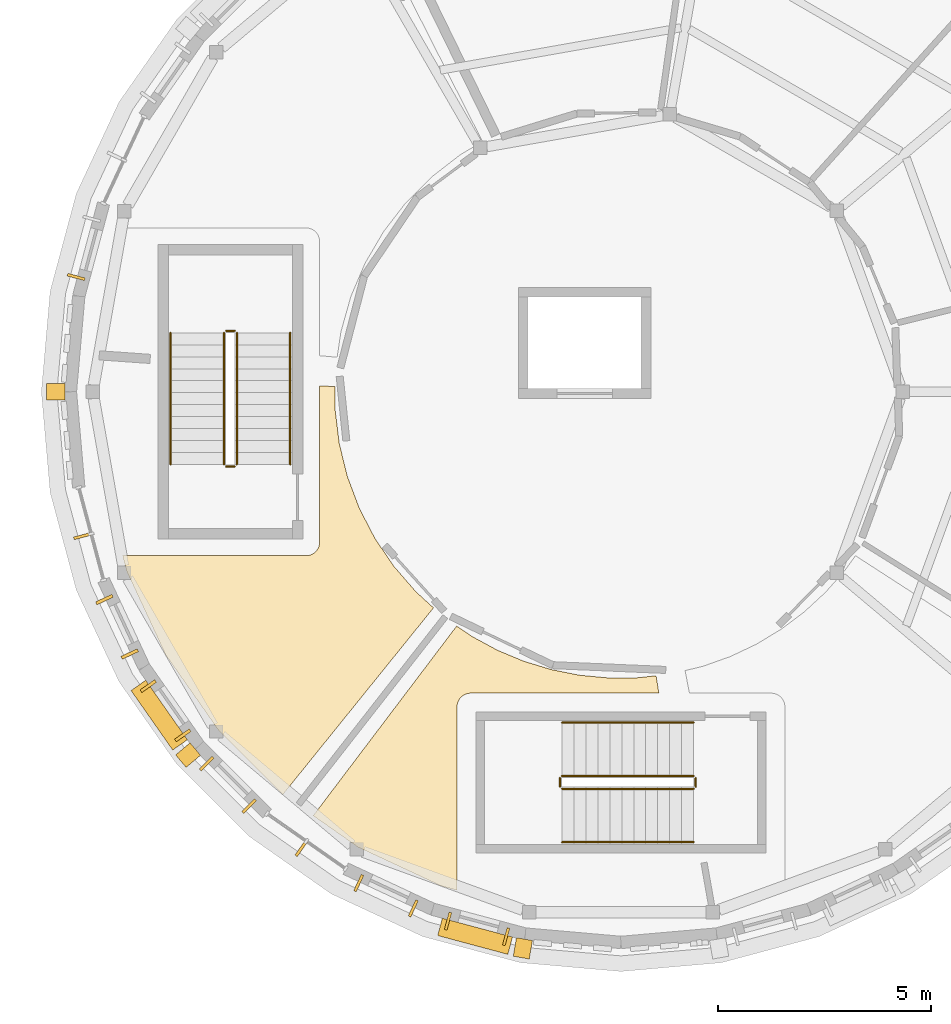
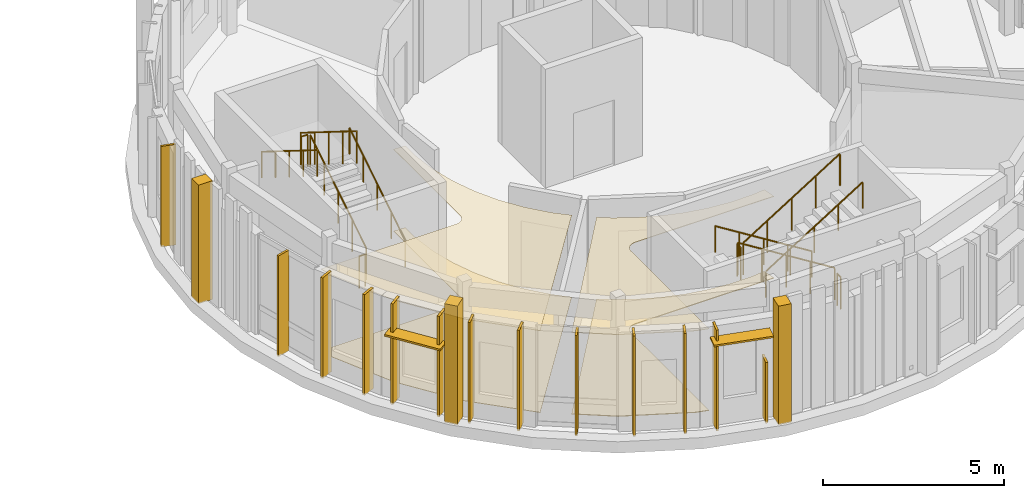
# One storey, part 30 of 37: 15 shading devices, 12 railings, 7 coverings.
"""IFC4 building model written with IfcOpenShell, lengths in metres."""

from ifc_helpers import new_model, si_unit, direction, frame, origin, origin_2d, place, context, subcontext, project, spatial, polyline, rectangle, circle, outline, extrude, material, layer, layer_set, type_object, element, save


model = new_model("IFC4")

# Units and contexts
model_context = context("Model", 3, precision=1e-05, world=origin(), true_north=direction((0.0, 1.0)))
body_context = subcontext(model_context, "Body", "Model", "MODEL_VIEW")
ifc_project = project(units=[si_unit("LENGTHUNIT", "METRE"), si_unit("AREAUNIT", "SQUARE_METRE"), si_unit("VOLUMEUNIT", "CUBIC_METRE"), si_unit("PLANEANGLEUNIT", "RADIAN"), si_unit("MASSUNIT", "GRAM", prefix="KILO")], contexts=[model_context])

# Site, building, storey
site_placement = place(None, origin())
site = spatial("IfcSite", under=ifc_project, at=site_placement, CompositionType="ELEMENT")
building_placement = place(site_placement, origin())
building = spatial("IfcBuilding", under=site, at=building_placement, Name="Aldenvaro Health Centre", CompositionType="ELEMENT")
storey_placement = place(building_placement, frame((0.0, 0.0, 12.949951171875)))
storey = spatial("IfcBuildingStorey", under=building, at=storey_placement, Name="L03", CompositionType="ELEMENT", Elevation=12.949951171875)

# Coverings
ifc_material_1 = material(Name="Antimicrobial Mineral Fibre Ceiling")
ifc_layer_1 = layer(ifc_material_1, 0.01806640625, Name="Antimicrobial Mineral Fibre Ceiling")
ifc_layer_set_1 = layer_set([ifc_layer_1], Name="Antimicrobial Mineral Fibre Ceiling")
covering_type_1 = type_object("IfcCoveringType", Name="COV-CLG-ACT18", PredefinedType="CEILING", material=ifc_layer_set_1)
covering_1_placement = place(storey_placement, frame((0.0, 0.0, 2.75)))
element("IfcCovering", 1, at=covering_1_placement, inside=storey, type_object=covering_type_1, Name="D5-L03-R02 Suspended Ceiling", PredefinedType="CEILING", context=body_context, shape_type="SweptSolid", body=[
    extrude(outline(polyline([(10.5791015625, 9.06591796875), (9.06298828125, 10.5810546875), (7.8310546875, 12.341064453125), (6.924072265625, 14.287109375), (6.823974609375, 14.659912109375), (11.1201171875, 14.659912109375), (11.132080078125, 14.659912109375), (11.139892578125, 14.660888671875), (11.1630859375, 14.6630859375), (11.1708984375, 14.6640625), (11.194091796875, 14.6689453125), (11.201904296875, 14.6708984375), (11.22412109375, 14.677001953125), (11.23095703125, 14.679931640625), (11.2529296875, 14.68896484375), (11.260009765625, 14.69189453125), (11.281005859375, 14.7041015625), (11.2880859375, 14.7080078125), (11.306884765625, 14.720947265625), (11.31396484375, 14.72509765625), (11.33203125, 14.739990234375), (11.337890625, 14.74609375), (11.35400390625, 14.761962890625), (11.360107421875, 14.76806640625), (11.375, 14.785888671875), (11.37890625, 14.79296875), (11.39208984375, 14.81201171875), (11.39599609375, 14.819091796875), (11.407958984375, 14.840087890625), (11.410888671875, 14.846923828125), (11.419921875, 14.868896484375), (11.423095703125, 14.8759765625), (11.428955078125, 14.89794921875), (11.430908203125, 14.906005859375), (11.43603515625, 14.928955078125), (11.43701171875, 14.93701171875), (11.43896484375, 14.9599609375), (11.43994140625, 14.968017578125), (11.43994140625, 14.97998046875), (11.43994140625, 18.64208984375), (11.801025390625, 18.6220703125), (11.802978515625, 18.083984375), (11.804931640625, 18.055908203125), (11.89892578125, 17.297119140625), (11.904052734375, 17.26904296875), (12.0869140625, 16.527099609375), (12.095947265625, 16.5), (12.364990234375, 15.783935546875), (12.3759765625, 15.758056640625), (12.72802734375, 15.0791015625), (12.741943359375, 15.054931640625), (13.172119140625, 14.422119140625), (13.18896484375, 14.39990234375), (13.68994140625, 13.822021484375), (13.7099609375, 13.802001953125), (14.10791015625, 13.43896484375), (10.5791015625, 9.06591796875)])), origin(), (0.0, 0.0, 1.0), 0.01806640625),
])
covering_2_placement = place(storey_placement, frame((0.0, 0.0, 2.75)))
element("IfcCovering", 2, at=covering_2_placement, inside=storey, type_object=covering_type_1, Name="D5-L03-R03 Suspended Ceiling", PredefinedType="CEILING", context=body_context, shape_type="SweptSolid", body=[
    extrude(outline(polyline([(15.0009765625, 12.77490234375), (15.02197265625, 12.761962890625), (15.594970703125, 12.451904296875), (15.616943359375, 12.44091796875), (16.218994140625, 12.18994140625), (16.240966796875, 12.181884765625), (16.864990234375, 11.992919921875), (16.888916015625, 11.987060546875), (17.528076171875, 11.861083984375), (17.552001953125, 11.85791015625), (18.200927734375, 11.797119140625), (18.22509765625, 11.7958984375), (18.876953125, 11.801025390625), (18.90087890625, 11.802001953125), (19.322021484375, 11.847900390625), (19.387939453125, 11.43994140625), (14.97998046875, 11.43994140625), (14.968017578125, 11.43994140625), (14.9599609375, 11.43896484375), (14.93701171875, 11.43701171875), (14.928955078125, 11.43603515625), (14.906005859375, 11.430908203125), (14.89794921875, 11.428955078125), (14.8759765625, 11.423095703125), (14.868896484375, 11.419921875), (14.846923828125, 11.410888671875), (14.840087890625, 11.407958984375), (14.819091796875, 11.39599609375), (14.81201171875, 11.39208984375), (14.79296875, 11.37890625), (14.785888671875, 11.375), (14.76806640625, 11.360107421875), (14.761962890625, 11.35400390625), (14.74609375, 11.337890625), (14.739990234375, 11.33203125), (14.72509765625, 11.31396484375), (14.720947265625, 11.306884765625), (14.7080078125, 11.2880859375), (14.7041015625, 11.281005859375), (14.69189453125, 11.260009765625), (14.68896484375, 11.2529296875), (14.679931640625, 11.23095703125), (14.677001953125, 11.22412109375), (14.6708984375, 11.201904296875), (14.6689453125, 11.194091796875), (14.6640625, 11.1708984375), (14.6630859375, 11.1630859375), (14.660888671875, 11.139892578125), (14.659912109375, 11.132080078125), (14.659912109375, 11.1201171875), (14.659912109375, 6.823974609375), (14.287109375, 6.924072265625), (12.341064453125, 7.8310546875), (11.2890625, 8.568115234375), (14.65087890625, 13.012939453125), (15.0009765625, 12.77490234375)])), origin(), (0.0, 0.0, 1.0), 0.01806640625),
])
ifc_material_2 = material(Name="Honed Sonoran Buff Limestone", Category="masonry")
ifc_layer_2 = layer(ifc_material_2, 0.280029296875, Name="Honed Sonoran Buff Limestone", Category="masonry")
ifc_layer_set_2 = layer_set([ifc_layer_2], Name="Honed Sonoran Buff Limestone")
covering_type_2 = type_object("IfcCoveringType", Name="COV-CRN-STN", PredefinedType="CLADDING", material=ifc_layer_set_2)
for number, where, z_axis, x_axis, name in (
    (3, (16.200927734375, 5.4609375, -0.00048828125), (0.0, 0.0, 1.0), (-0.173643819888, -0.984808521396, 0.0), "D5 L03 Engaged Classical Limestone Pilaster 06"),
    (4, (8.35791015625, 9.989013671875, -0.00048828125), (0.0, 0.0, 1.0), (-0.76604377724, -0.642788403249, 0.0), "D5 L03 Engaged Classical Limestone Pilaster 08"),
    (5, (5.260009765625, 18.5, -0.00048828125), (0.0, 0.0, 1.0), (-1.0, 0.0, 0.0), "D5 L03 Engaged Classical Limestone Pilaster 10"),
):
    element("IfcCovering", number, at=place(storey_placement, frame(where, z_axis=z_axis, x_axis=x_axis)), inside=storey, type_object=covering_type_2, Name=name, PredefinedType="CLADDING", context=body_context, shape_type="SweptSolid", body=[
        extrude(rectangle(XDim=0.43994140625, YDim=0.3798828125, at=origin_2d()), origin(), (0.0, 0.0, 1.0), 3.9951171875),
    ])
ifc_material_3 = material(Name="Polished Epoxy Terrazzo Flooring")
ifc_layer_3 = layer(ifc_material_3, 0.02197265625, Name="Polished Epoxy Terrazzo Flooring")
ifc_layer_set_3 = layer_set([ifc_layer_3], Name="Polished Epoxy Terrazzo Flooring")
covering_type_3 = type_object("IfcCoveringType", Name="COV-FLR-TER22", PredefinedType="FLOORING", material=ifc_layer_set_3)
covering_3_placement = place(storey_placement, origin())
element("IfcCovering", 6, at=covering_3_placement, inside=storey, type_object=covering_type_3, Name="D5-L03-R03 Flooring", PredefinedType="FLOORING", context=body_context, shape_type="SweptSolid", body=[
    extrude(outline(polyline([(15.0009765625, 12.77490234375), (15.02197265625, 12.761962890625), (15.594970703125, 12.451904296875), (15.616943359375, 12.44091796875), (16.218994140625, 12.18994140625), (16.240966796875, 12.181884765625), (16.864990234375, 11.992919921875), (16.888916015625, 11.987060546875), (17.528076171875, 11.861083984375), (17.552001953125, 11.85791015625), (18.200927734375, 11.797119140625), (18.22509765625, 11.7958984375), (18.876953125, 11.801025390625), (18.90087890625, 11.802001953125), (19.322021484375, 11.847900390625), (19.387939453125, 11.43994140625), (14.97998046875, 11.43994140625), (14.968017578125, 11.43994140625), (14.9599609375, 11.43896484375), (14.93701171875, 11.43701171875), (14.928955078125, 11.43603515625), (14.906005859375, 11.430908203125), (14.89794921875, 11.428955078125), (14.8759765625, 11.423095703125), (14.868896484375, 11.419921875), (14.846923828125, 11.410888671875), (14.840087890625, 11.407958984375), (14.819091796875, 11.39599609375), (14.81201171875, 11.39208984375), (14.79296875, 11.37890625), (14.785888671875, 11.375), (14.76806640625, 11.360107421875), (14.761962890625, 11.35400390625), (14.74609375, 11.337890625), (14.739990234375, 11.33203125), (14.72509765625, 11.31396484375), (14.720947265625, 11.306884765625), (14.7080078125, 11.2880859375), (14.7041015625, 11.281005859375), (14.69189453125, 11.260009765625), (14.68896484375, 11.2529296875), (14.679931640625, 11.23095703125), (14.677001953125, 11.22412109375), (14.6708984375, 11.201904296875), (14.6689453125, 11.194091796875), (14.6640625, 11.1708984375), (14.6630859375, 11.1630859375), (14.660888671875, 11.139892578125), (14.659912109375, 11.132080078125), (14.659912109375, 11.1201171875), (14.659912109375, 6.823974609375), (14.287109375, 6.924072265625), (12.341064453125, 7.8310546875), (11.2890625, 8.568115234375), (14.65087890625, 13.012939453125), (15.0009765625, 12.77490234375)])), origin(), (0.0, 0.0, 1.0), 0.02197265625),
])
ifc_material_4 = material(Name="Seamless Homogeneous Sheet Vinyl")
ifc_layer_4 = layer(ifc_material_4, 0.013916015625, Name="Seamless Homogeneous Sheet Vinyl")
ifc_layer_set_4 = layer_set([ifc_layer_4], Name="Seamless Homogeneous Sheet Vinyl")
covering_type_4 = type_object("IfcCoveringType", Name="COV-FLR-VNL14", PredefinedType="FLOORING", material=ifc_layer_set_4)
covering_4_placement = place(storey_placement, origin())
element("IfcCovering", 7, at=covering_4_placement, inside=storey, type_object=covering_type_4, Name="D5-L03-R02 Flooring", PredefinedType="FLOORING", context=body_context, shape_type="SweptSolid", body=[
    extrude(outline(polyline([(10.5791015625, 9.06591796875), (9.06298828125, 10.5810546875), (7.8310546875, 12.341064453125), (6.924072265625, 14.287109375), (6.823974609375, 14.659912109375), (11.1201171875, 14.659912109375), (11.132080078125, 14.659912109375), (11.139892578125, 14.660888671875), (11.1630859375, 14.6630859375), (11.1708984375, 14.6640625), (11.194091796875, 14.6689453125), (11.201904296875, 14.6708984375), (11.22412109375, 14.677001953125), (11.23095703125, 14.679931640625), (11.2529296875, 14.68896484375), (11.260009765625, 14.69189453125), (11.281005859375, 14.7041015625), (11.2880859375, 14.7080078125), (11.306884765625, 14.720947265625), (11.31396484375, 14.72509765625), (11.33203125, 14.739990234375), (11.337890625, 14.74609375), (11.35400390625, 14.761962890625), (11.360107421875, 14.76806640625), (11.375, 14.785888671875), (11.37890625, 14.79296875), (11.39208984375, 14.81201171875), (11.39599609375, 14.819091796875), (11.407958984375, 14.840087890625), (11.410888671875, 14.846923828125), (11.419921875, 14.868896484375), (11.423095703125, 14.8759765625), (11.428955078125, 14.89794921875), (11.430908203125, 14.906005859375), (11.43603515625, 14.928955078125), (11.43701171875, 14.93701171875), (11.43896484375, 14.9599609375), (11.43994140625, 14.968017578125), (11.43994140625, 14.97998046875), (11.43994140625, 18.64208984375), (11.801025390625, 18.6220703125), (11.802978515625, 18.083984375), (11.804931640625, 18.055908203125), (11.89892578125, 17.297119140625), (11.904052734375, 17.26904296875), (12.0869140625, 16.527099609375), (12.095947265625, 16.5), (12.364990234375, 15.783935546875), (12.3759765625, 15.758056640625), (12.72802734375, 15.0791015625), (12.741943359375, 15.054931640625), (13.172119140625, 14.422119140625), (13.18896484375, 14.39990234375), (13.68994140625, 13.822021484375), (13.7099609375, 13.802001953125), (14.10791015625, 13.43896484375), (10.5791015625, 9.06591796875)])), origin(), (0.0, 0.0, 1.0), 0.01416015625),
])

# Railings
ifc_material_5 = material(Name="Painted Architectural Steel", Category="steel")
railing_type_1 = type_object("IfcRailingType", Name="RL-BAL-INT", PredefinedType="BALUSTRADE", material=ifc_material_5)
railing_1_placement = place(storey_placement, frame((9.5, 16.800048828125, 0.175048828125)))
element("IfcRailing", 8, at=railing_1_placement, inside=storey, type_object=railing_type_1, Name="L03 ST-09 stair guard 1", PredefinedType="BALUSTRADE", context=body_context, shape_type="SweptSolid", body=[
    extrude(circle(Radius=0.02392578125, at=origin_2d()), frame((0.0, 0.0, 1.076171875), z_axis=(0.0, 0.847979421464, 0.530029150871), x_axis=(-1.0, 0.0, 0.0)), (0.0, 0.0, 1.0), 3.632080078125),
    extrude(circle(Radius=0.02099609375, at=origin_2d()), origin(), (0.0, 0.0, 1.0), 1.052001953125),
    extrude(circle(Radius=0.02099609375, at=origin_2d()), frame((0.0, 0.77001953125, 0.481201171875)), (0.0, 0.0, 1.0), 1.052001953125),
    extrude(circle(Radius=0.02099609375, at=origin_2d()), frame((0.0, 1.5400390625, 0.96240234375)), (0.0, 0.0, 1.0), 1.052001953125),
    extrude(circle(Radius=0.02099609375, at=origin_2d()), frame((0.0, 2.309814453125, 1.44384765625)), (0.0, 0.0, 1.0), 1.052001953125),
    extrude(circle(Radius=0.02099609375, at=origin_2d()), frame((0.0, 3.079833984375, 1.925048828125)), (0.0, 0.0, 1.0), 1.052001953125),
])
railing_2_placement = place(storey_placement, frame((9.449951171875, 19.929931640625, 2.10009765625)))
element("IfcRailing", 9, at=railing_2_placement, inside=storey, type_object=railing_type_1, Name="L03 ST-09 stair guard 2", PredefinedType="BALUSTRADE", context=body_context, shape_type="SweptSolid", body=[
    extrude(circle(Radius=0.02392578125, at=origin_2d()), frame((0.0, 0.0, 1.076171875), z_axis=(-1.0, 0.0, 0.0), x_axis=(0.0, -1.0, 0.0)), (0.0, 0.0, 1.0), 0.199951171875),
    extrude(circle(Radius=0.02099609375, at=origin_2d()), origin(), (0.0, 0.0, 1.0), 1.052001953125),
    extrude(circle(Radius=0.02099609375, at=origin_2d()), frame((-0.199951171875, 0.0, 0.0)), (0.0, 0.0, 1.0), 1.052001953125),
])
railing_3_placement = place(storey_placement, frame((9.199951171875, 19.8798828125, 2.275146484375)))
element("IfcRailing", 10, at=railing_3_placement, inside=storey, type_object=railing_type_1, Name="L03 ST-09 stair guard 3", PredefinedType="BALUSTRADE", context=body_context, shape_type="SweptSolid", body=[
    extrude(circle(Radius=0.02392578125, at=origin_2d()), frame((0.0, 0.0, 1.076171875), z_axis=(0.0, -0.848009633417, 0.529980812513), x_axis=(1.0, 0.0, 0.0)), (0.0, 0.0, 1.0), 3.6318359375),
    extrude(circle(Radius=0.02099609375, at=origin_2d()), origin(), (0.0, 0.0, 1.0), 1.052001953125),
    extrude(circle(Radius=0.02099609375, at=origin_2d()), frame((0.0, -0.77001953125, 0.481201171875)), (0.0, 0.0, 1.0), 1.052001953125),
    extrude(circle(Radius=0.02099609375, at=origin_2d()), frame((0.0, -1.5400390625, 0.96240234375)), (0.0, 0.0, 1.0), 1.052001953125),
    extrude(circle(Radius=0.02099609375, at=origin_2d()), frame((0.0, -2.309814453125, 1.443603515625)), (0.0, 0.0, 1.0), 1.052001953125),
    extrude(circle(Radius=0.02099609375, at=origin_2d()), frame((0.0, -3.079833984375, 1.9248046875)), (0.0, 0.0, 1.0), 1.052001953125),
])
railing_4_placement = place(storey_placement, frame((9.449951171875, 16.75, 0.0)))
element("IfcRailing", 11, at=railing_4_placement, inside=storey, type_object=railing_type_1, Name="L03 ST-09 stair guard 4", PredefinedType="BALUSTRADE", context=body_context, shape_type="SweptSolid", body=[
    extrude(circle(Radius=0.02392578125, at=origin_2d()), frame((0.0, 0.0, 1.076171875), z_axis=(-1.0, 0.0, 0.0), x_axis=(0.0, -1.0, 0.0)), (0.0, 0.0, 1.0), 0.199951171875),
    extrude(circle(Radius=0.02099609375, at=origin_2d()), origin(), (0.0, 0.0, 1.0), 1.052001953125),
    extrude(circle(Radius=0.02099609375, at=origin_2d()), frame((-0.199951171875, 0.0, 0.0)), (0.0, 0.0, 1.0), 1.052001953125),
])
railing_5_placement = place(storey_placement, frame((20.199951171875, 9.5, 0.175048828125)))
element("IfcRailing", 12, at=railing_5_placement, inside=storey, type_object=railing_type_1, Name="L03 ST-10 stair guard 1", PredefinedType="BALUSTRADE", context=body_context, shape_type="SweptSolid", body=[
    extrude(circle(Radius=0.02392578125, at=origin_2d()), frame((0.0, 0.0, 1.076171875), z_axis=(-0.847979421464, 0.0, 0.530029150871), x_axis=(0.0, -1.0, 0.0)), (0.0, 0.0, 1.0), 3.632080078125),
    extrude(circle(Radius=0.02099609375, at=origin_2d()), origin(), (0.0, 0.0, 1.0), 1.052001953125),
    extrude(circle(Radius=0.02099609375, at=origin_2d()), frame((-0.77001953125, 0.0, 0.481201171875)), (0.0, 0.0, 1.0), 1.052001953125),
    extrude(circle(Radius=0.02099609375, at=origin_2d()), frame((-1.5400390625, 0.0, 0.96240234375)), (0.0, 0.0, 1.0), 1.052001953125),
    extrude(circle(Radius=0.02099609375, at=origin_2d()), frame((-2.309814453125, 0.0, 1.44384765625)), (0.0, 0.0, 1.0), 1.052001953125),
    extrude(circle(Radius=0.02099609375, at=origin_2d()), frame((-3.079833984375, 0.0, 1.925048828125)), (0.0, 0.0, 1.0), 1.052001953125),
])
railing_6_placement = place(storey_placement, frame((17.070068359375, 9.449951171875, 2.10009765625)))
element("IfcRailing", 13, at=railing_6_placement, inside=storey, type_object=railing_type_1, Name="L03 ST-10 stair guard 2", PredefinedType="BALUSTRADE", context=body_context, shape_type="SweptSolid", body=[
    extrude(circle(Radius=0.02392578125, at=origin_2d()), frame((0.0, 0.0, 1.076171875), z_axis=(0.0, -1.0, 0.0), x_axis=(1.0, 0.0, 0.0)), (0.0, 0.0, 1.0), 0.199951171875),
    extrude(circle(Radius=0.02099609375, at=origin_2d()), origin(), (0.0, 0.0, 1.0), 1.052001953125),
    extrude(circle(Radius=0.02099609375, at=origin_2d()), frame((0.0, -0.199951171875, 0.0)), (0.0, 0.0, 1.0), 1.052001953125),
])
railing_7_placement = place(storey_placement, frame((17.1201171875, 9.199951171875, 2.275146484375)))
element("IfcRailing", 14, at=railing_7_placement, inside=storey, type_object=railing_type_1, Name="L03 ST-10 stair guard 3", PredefinedType="BALUSTRADE", context=body_context, shape_type="SweptSolid", body=[
    extrude(circle(Radius=0.02392578125, at=origin_2d()), frame((0.0, 0.0, 1.076171875), z_axis=(0.848009633417, 0.0, 0.529980812513), x_axis=(0.0, 1.0, 0.0)), (0.0, 0.0, 1.0), 3.6318359375),
    extrude(circle(Radius=0.02099609375, at=origin_2d()), origin(), (0.0, 0.0, 1.0), 1.052001953125),
    extrude(circle(Radius=0.02099609375, at=origin_2d()), frame((0.77001953125, 0.0, 0.481201171875)), (0.0, 0.0, 1.0), 1.052001953125),
    extrude(circle(Radius=0.02099609375, at=origin_2d()), frame((1.5400390625, 0.0, 0.96240234375)), (0.0, 0.0, 1.0), 1.052001953125),
    extrude(circle(Radius=0.02099609375, at=origin_2d()), frame((2.309814453125, 0.0, 1.443603515625)), (0.0, 0.0, 1.0), 1.052001953125),
    extrude(circle(Radius=0.02099609375, at=origin_2d()), frame((3.079833984375, 0.0, 1.9248046875)), (0.0, 0.0, 1.0), 1.052001953125),
])
railing_8_placement = place(storey_placement, frame((20.25, 9.449951171875, 0.0)))
element("IfcRailing", 15, at=railing_8_placement, inside=storey, type_object=railing_type_1, Name="L03 ST-10 stair guard 4", PredefinedType="BALUSTRADE", context=body_context, shape_type="SweptSolid", body=[
    extrude(circle(Radius=0.02392578125, at=origin_2d()), frame((0.0, 0.0, 1.076171875), z_axis=(0.0, -1.0, 0.0), x_axis=(1.0, 0.0, 0.0)), (0.0, 0.0, 1.0), 0.199951171875),
    extrude(circle(Radius=0.02099609375, at=origin_2d()), origin(), (0.0, 0.0, 1.0), 1.052001953125),
    extrude(circle(Radius=0.02099609375, at=origin_2d()), frame((0.0, -0.199951171875, 0.0)), (0.0, 0.0, 1.0), 1.052001953125),
])
railing_type_2 = type_object("IfcRailingType", Name="RL-HND-INT", PredefinedType="HANDRAIL", material=ifc_material_5)
railing_9_placement = place(storey_placement, frame((10.75, 16.800048828125, 0.175048828125)))
element("IfcRailing", 16, at=railing_9_placement, inside=storey, type_object=railing_type_2, Name="L03 ST-09 stair handrail 1", PredefinedType="HANDRAIL", context=body_context, shape_type="SweptSolid", body=[
    extrude(circle(Radius=0.02392578125, at=origin_2d()), frame((0.0, 0.0, 0.8759765625), z_axis=(0.0, 0.847979421464, 0.530029150871), x_axis=(-1.0, 0.0, 0.0)), (0.0, 0.0, 1.0), 3.632080078125),
    extrude(circle(Radius=0.02099609375, at=origin_2d()), origin(), (0.0, 0.0, 1.0), 0.851806640625),
    extrude(circle(Radius=0.02099609375, at=origin_2d()), frame((0.0, 0.77001953125, 0.481201171875)), (0.0, 0.0, 1.0), 0.851806640625),
    extrude(circle(Radius=0.02099609375, at=origin_2d()), frame((0.0, 1.5400390625, 0.96240234375)), (0.0, 0.0, 1.0), 0.851806640625),
    extrude(circle(Radius=0.02099609375, at=origin_2d()), frame((0.0, 2.309814453125, 1.44384765625)), (0.0, 0.0, 1.0), 0.851806640625),
    extrude(circle(Radius=0.02099609375, at=origin_2d()), frame((0.0, 3.079833984375, 1.925048828125)), (0.0, 0.0, 1.0), 0.851806640625),
])
railing_10_placement = place(storey_placement, frame((7.949951171875, 19.8798828125, 2.275146484375)))
element("IfcRailing", 17, at=railing_10_placement, inside=storey, type_object=railing_type_2, Name="L03 ST-09 stair handrail 2", PredefinedType="HANDRAIL", context=body_context, shape_type="SweptSolid", body=[
    extrude(circle(Radius=0.02392578125, at=origin_2d()), frame((0.0, 0.0, 0.8759765625), z_axis=(0.0, -0.848009633417, 0.529980812513), x_axis=(1.0, 0.0, 0.0)), (0.0, 0.0, 1.0), 3.6318359375),
    extrude(circle(Radius=0.02099609375, at=origin_2d()), origin(), (0.0, 0.0, 1.0), 0.851806640625),
    extrude(circle(Radius=0.02099609375, at=origin_2d()), frame((0.0, -0.77001953125, 0.481201171875)), (0.0, 0.0, 1.0), 0.851806640625),
    extrude(circle(Radius=0.02099609375, at=origin_2d()), frame((0.0, -1.5400390625, 0.96240234375)), (0.0, 0.0, 1.0), 0.851806640625),
    extrude(circle(Radius=0.02099609375, at=origin_2d()), frame((0.0, -2.309814453125, 1.443603515625)), (0.0, 0.0, 1.0), 0.851806640625),
    extrude(circle(Radius=0.02099609375, at=origin_2d()), frame((0.0, -3.079833984375, 1.9248046875)), (0.0, 0.0, 1.0), 0.851806640625),
])
railing_11_placement = place(storey_placement, frame((20.199951171875, 10.75, 0.175048828125)))
element("IfcRailing", 18, at=railing_11_placement, inside=storey, type_object=railing_type_2, Name="L03 ST-10 stair handrail 1", PredefinedType="HANDRAIL", context=body_context, shape_type="SweptSolid", body=[
    extrude(circle(Radius=0.02392578125, at=origin_2d()), frame((0.0, 0.0, 0.8759765625), z_axis=(-0.847979421464, 0.0, 0.530029150871), x_axis=(0.0, -1.0, 0.0)), (0.0, 0.0, 1.0), 3.632080078125),
    extrude(circle(Radius=0.02099609375, at=origin_2d()), origin(), (0.0, 0.0, 1.0), 0.851806640625),
    extrude(circle(Radius=0.02099609375, at=origin_2d()), frame((-0.77001953125, 0.0, 0.481201171875)), (0.0, 0.0, 1.0), 0.851806640625),
    extrude(circle(Radius=0.02099609375, at=origin_2d()), frame((-1.5400390625, 0.0, 0.96240234375)), (0.0, 0.0, 1.0), 0.851806640625),
    extrude(circle(Radius=0.02099609375, at=origin_2d()), frame((-2.309814453125, 0.0, 1.44384765625)), (0.0, 0.0, 1.0), 0.851806640625),
    extrude(circle(Radius=0.02099609375, at=origin_2d()), frame((-3.079833984375, 0.0, 1.925048828125)), (0.0, 0.0, 1.0), 0.851806640625),
])
railing_12_placement = place(storey_placement, frame((17.1201171875, 7.949951171875, 2.275146484375)))
element("IfcRailing", 19, at=railing_12_placement, inside=storey, type_object=railing_type_2, Name="L03 ST-10 stair handrail 2", PredefinedType="HANDRAIL", context=body_context, shape_type="SweptSolid", body=[
    extrude(circle(Radius=0.02392578125, at=origin_2d()), frame((0.0, 0.0, 0.8759765625), z_axis=(0.848009633417, 0.0, 0.529980812513), x_axis=(0.0, 1.0, 0.0)), (0.0, 0.0, 1.0), 3.6318359375),
    extrude(circle(Radius=0.02099609375, at=origin_2d()), origin(), (0.0, 0.0, 1.0), 0.851806640625),
    extrude(circle(Radius=0.02099609375, at=origin_2d()), frame((0.77001953125, 0.0, 0.481201171875)), (0.0, 0.0, 1.0), 0.851806640625),
    extrude(circle(Radius=0.02099609375, at=origin_2d()), frame((1.5400390625, 0.0, 0.96240234375)), (0.0, 0.0, 1.0), 0.851806640625),
    extrude(circle(Radius=0.02099609375, at=origin_2d()), frame((2.309814453125, 0.0, 1.443603515625)), (0.0, 0.0, 1.0), 0.851806640625),
    extrude(circle(Radius=0.02099609375, at=origin_2d()), frame((3.079833984375, 0.0, 1.9248046875)), (0.0, 0.0, 1.0), 0.851806640625),
])

# Shading devices
ifc_material_6 = material(Name="Douglas Fir Exterior Glulam GL28h", Category="wood")
shading_device_type_1 = type_object("IfcShadingDeviceType", Name="SHD-FIN-205", PredefinedType="USERDEFINED", material=ifc_material_6)
shading_device_1_placement = place(storey_placement, frame((15.80908203125, 5.736083984375, -0.02001953125), z_axis=(0.0, 0.0, 1.0), x_axis=(-0.9659242304, 0.258825000966, 0.0)))
element("IfcShadingDevice", 20, at=shading_device_1_placement, inside=storey, type_object=shading_device_type_1, Name="D5 L03 Douglas fir fin 11.1", ObjectType="FIN", PredefinedType="USERDEFINED", context=body_context, shape_type="SweptSolid", body=[
    extrude(rectangle(XDim=0.06494140625, YDim=0.419921875, at=origin_2d()), origin(), (0.0, 0.0, 1.0), 2.050048828125),
])
shading_device_type_2 = type_object("IfcShadingDeviceType", Name="SHD-FIN-340", PredefinedType="USERDEFINED", material=ifc_material_6)
for number, where, z_axis, x_axis, name in (
    (21, (6.991943359375, 12.35693359375, -0.0205078125), (0.0, 0.0, 1.0), (-0.422495879545, 0.906364844733, 0.0), "D5 L03 Douglas fir fin 16.1"),
    (22, (6.39697265625, 13.633056640625, -0.0205078125), (0.0, 0.0, 1.0), (-0.422495879545, 0.906364844733, 0.0), "D5 L03 Douglas fir fin 16.3"),
):
    element("IfcShadingDevice", number, at=place(storey_placement, frame(where, z_axis=z_axis, x_axis=x_axis)), inside=storey, type_object=shading_device_type_2, Name=name, ObjectType="FIN", PredefinedType="USERDEFINED", context=body_context, shape_type="SweptSolid", body=[
        extrude(rectangle(XDim=0.074951171875, YDim=0.419921875, at=origin_2d()), origin(), (0.0, 0.0, 1.0), 3.388916015625),
    ])
shading_device_type_3 = type_object("IfcShadingDeviceType", Name="SHD-FIN-380", PredefinedType="USERDEFINED", material=ifc_material_6)
for number, where, z_axis, x_axis, name in (
    (23, (8.23388671875, 10.451904296875, -0.0205078125), (0.0, 0.0, 1.0), (-0.573641397746, 0.819106553991, 0.0), "D5 L03 Douglas fir fin 15.1"),
    (24, (7.426025390625, 11.60595703125, -0.0205078125), (0.0, 0.0, 1.0), (-0.573641397746, 0.819106553991, 0.0), "D5 L03 Douglas fir fin 15.3"),
):
    element("IfcShadingDevice", number, at=place(storey_placement, frame(where, z_axis=z_axis, x_axis=x_axis)), inside=storey, type_object=shading_device_type_3, Name=name, ObjectType="FIN", PredefinedType="USERDEFINED", context=body_context, shape_type="SweptSolid", body=[
        extrude(rectangle(XDim=0.074951171875, YDim=0.419921875, at=origin_2d()), origin(), (0.0, 0.0, 1.0), 3.388916015625),
    ])
shading_device_type_4 = type_object("IfcShadingDeviceType", Name="SHD-FIN-400", PredefinedType="USERDEFINED", material=ifc_material_6)
for number, where, z_axis, x_axis, name in (
    (25, (9.787109375, 8.791015625, -0.0205078125), (0.0, 0.0, 1.0), (-0.707106781187, 0.707106781187, 0.0), "D5 L03 Douglas fir fin 14.1"),
    (26, (8.791015625, 9.787109375, -0.0205078125), (0.0, 0.0, 1.0), (-0.707106781187, 0.707106781187, 0.0), "D5 L03 Douglas fir fin 14.3"),
    (27, (5.736083984375, 21.19091796875, -0.0205078125), (0.0, 0.0, 1.0), (0.258825000966, 0.9659242304, 0.0), "D5 L03 Douglas fir fin 20.1"),
):
    element("IfcShadingDevice", number, at=place(storey_placement, frame(where, z_axis=z_axis, x_axis=x_axis)), inside=storey, type_object=shading_device_type_4, Name=name, ObjectType="FIN", PredefinedType="USERDEFINED", context=body_context, shape_type="SweptSolid", body=[
        extrude(rectangle(XDim=0.06494140625, YDim=0.419921875, at=origin_2d()), origin(), (0.0, 0.0, 1.0), 3.388916015625),
    ])
shading_device_type_5 = type_object("IfcShadingDeviceType", Name="SHD-FIN-420", PredefinedType="USERDEFINED", material=ifc_material_6)
shading_device_2_placement = place(storey_placement, frame((11.009033203125, 7.801025390625, -0.0205078125), z_axis=(0.0, 0.0, 1.0), x_axis=(-0.819106553991, 0.573641397746, 0.0)))
element("IfcShadingDevice", 28, at=shading_device_2_placement, inside=storey, type_object=shading_device_type_5, Name="D5 L03 vertical timber fin 13.0", ObjectType="FIN", PredefinedType="USERDEFINED", context=body_context, shape_type="SweptSolid", body=[
    extrude(rectangle(XDim=0.06494140625, YDim=0.419921875, at=origin_2d()), origin(), (0.0, 0.0, 1.0), 3.388916015625),
])
shading_device_type_6 = type_object("IfcShadingDeviceType", Name="SHD-FIN-435", PredefinedType="USERDEFINED", material=ifc_material_6)
for number, where, z_axis, x_axis, name in (
    (29, (13.633056640625, 6.39697265625, -0.0205078125), (0.0, 0.0, 1.0), (-0.906364844733, 0.422495879545, 0.0), "D5 L03 Douglas fir fin 12.1"),
    (30, (12.35693359375, 6.991943359375, -0.0205078125), (0.0, 0.0, 1.0), (-0.906364844733, 0.422495879545, 0.0), "D5 L03 Douglas fir fin 12.3"),
):
    element("IfcShadingDevice", number, at=place(storey_placement, frame(where, z_axis=z_axis, x_axis=x_axis)), inside=storey, type_object=shading_device_type_6, Name=name, ObjectType="FIN", PredefinedType="USERDEFINED", context=body_context, shape_type="SweptSolid", body=[
        extrude(rectangle(XDim=0.06494140625, YDim=0.419921875, at=origin_2d()), origin(), (0.0, 0.0, 1.0), 3.388916015625),
    ])
shading_device_type_7 = type_object("IfcShadingDeviceType", Name="SHD-FIN-455", PredefinedType="USERDEFINED", material=ifc_material_6)
for number, where, z_axis, x_axis, name in (
    (31, (14.447998046875, 6.10009765625, -0.0205078125), (0.0, 0.0, 1.0), (-0.9659242304, 0.258825000966, 0.0), "D5 L03 Douglas fir fin 11.3"),
    (32, (5.884033203125, 15.1201171875, -0.0205078125), (0.0, 0.0, 1.0), (-0.258825000966, 0.9659242304, 0.0), "D5 L03 vertical timber fin 17.0"),
):
    element("IfcShadingDevice", number, at=place(storey_placement, frame(where, z_axis=z_axis, x_axis=x_axis)), inside=storey, type_object=shading_device_type_7, Name=name, ObjectType="FIN", PredefinedType="USERDEFINED", context=body_context, shape_type="SweptSolid", body=[
        extrude(rectangle(XDim=0.06494140625, YDim=0.419921875, at=origin_2d()), origin(), (0.0, 0.0, 1.0), 3.388916015625),
    ])
shading_device_type_8 = type_object("IfcShadingDeviceType", Name="SHD-LVR-170", PredefinedType="JALOUSIE", material=ifc_material_6)
for number, where, z_axis, x_axis, name in (
    (33, (15.08203125, 5.743896484375, 2.949951171875), (0.0, 0.0, 1.0), (-0.9659242304, 0.258825000966, 0.0), "D5 L03 horizontal solar louvre 11"),
    (34, (7.681884765625, 10.925048828125, 2.35009765625), (0.0, 0.0, 1.0), (-0.573641397746, 0.819106553991, 0.0), "D5 L03 horizontal solar louvre 15"),
):
    element("IfcShadingDevice", number, at=place(storey_placement, frame(where, z_axis=z_axis, x_axis=x_axis)), inside=storey, type_object=shading_device_type_8, Name=name, PredefinedType="JALOUSIE", context=body_context, shape_type="SweptSolid", body=[
        extrude(rectangle(XDim=1.699951171875, YDim=0.419921875, at=origin_2d()), origin(), (0.0, 0.0, 1.0), 0.06005859375),
    ])

save(model, "model.ifc")
